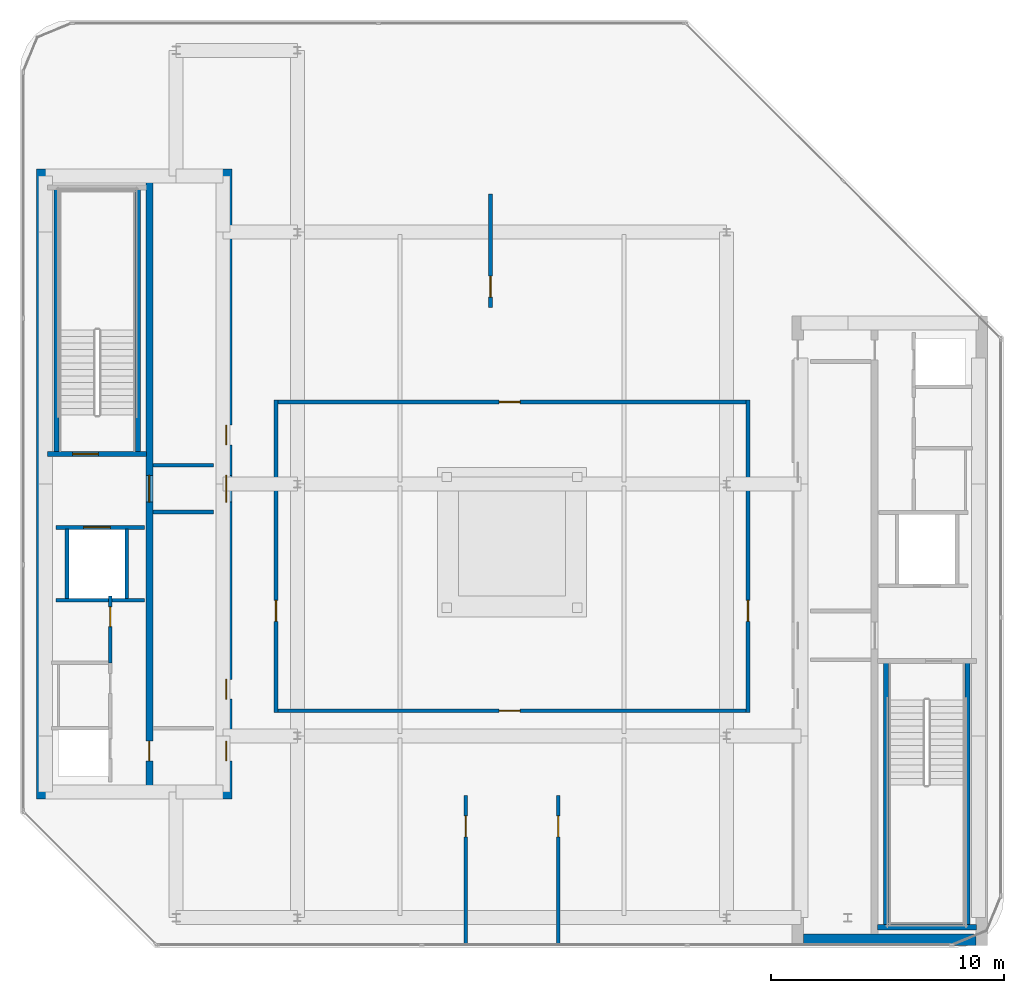
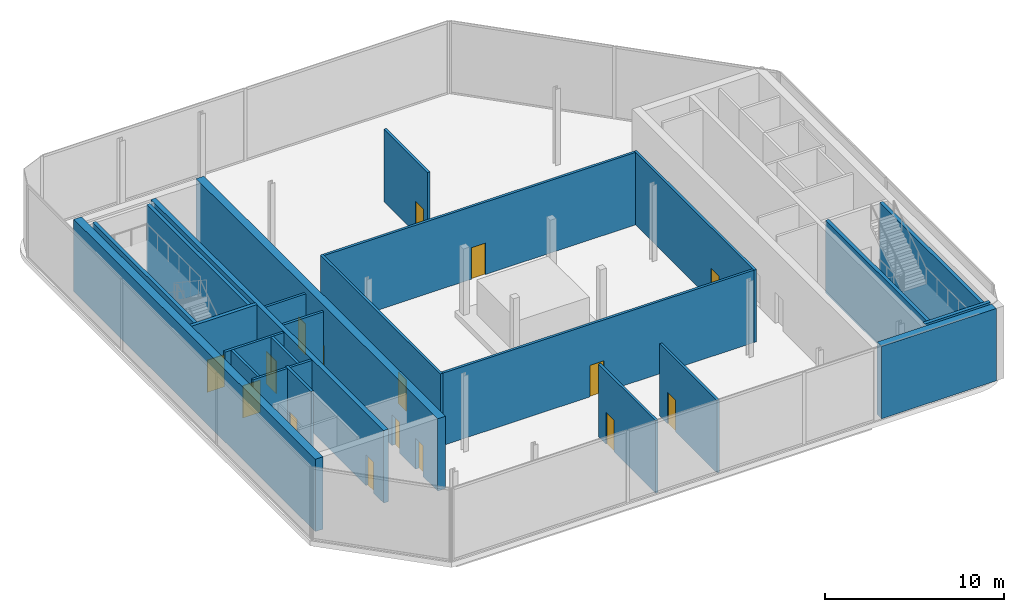
# One storey, part 5 of 14: 24 walls, 16 doors, 16 openings.
"""IFC4 building model written with IfcOpenShell, lengths in metres."""

import ifcopenshell
import ifcopenshell.guid

model = None  # the IFC model being written
_history = None  # IfcOwnerHistory: only IFC2X3 demands one
_inside = {}  # id of a spatial element -> (the spatial element, [elements in it])
_under = {}  # id of a project, library or spatial element -> (it, [spatial elements below it])
_declared = {}  # id of a project -> (the project, [libraries it declares])
_typed = {}  # id of a type object -> (the type object, [elements of that type])
_made_of = {}  # id of a material, layer set ... -> (it, [elements and type objects made of it])


def new_model(schema):
    """Start an empty IFC model of exactly this schema.

    Asked for "IFC4X3", IfcOpenShell would pick the latest addendum, in which some entities
    have other attributes; the version numbers below select the first issue.
    IFC2X3 requires an IfcOwnerHistory on every rooted entity: one is made here for all.
    """
    global model, _history
    if schema == "IFC4X3":
        model = ifcopenshell.file(schema_version=(4, 3, 0, 0))
    else:
        model = ifcopenshell.file(schema=schema)
    _inside.clear()
    _under.clear()
    _declared.clear()
    _typed.clear()
    _made_of.clear()
    _history = None
    if model.schema == "IFC2X3":
        org = make("IfcOrganization", Name="unknown")
        user = make(
            "IfcPersonAndOrganization",
            ThePerson=make("IfcPerson", FamilyName="unknown"),
            TheOrganization=org,
        )
        app = make(
            "IfcApplication",
            ApplicationDeveloper=org,
            Version="unknown",
            ApplicationFullName="unknown",
            ApplicationIdentifier="unknown",
        )
        _history = make(
            "IfcOwnerHistory",
            OwningUser=user,
            OwningApplication=app,
            ChangeAction="ADDED",
            CreationDate=0,
        )
    return model


def make(cls, **values):
    """One entity of the class cls with the attributes given. An attribute that is None is left unset."""
    return model.create_entity(
        cls, **{name: value for name, value in values.items() if value is not None}
    )


def rooted(cls, **values):
    """An entity with a GlobalId (a new one), such as an element, a storey or a relation."""
    return make(cls, GlobalId=ifcopenshell.guid.new(), OwnerHistory=_history, **values)


def si_unit(unit_type, name, prefix=None):
    """IfcSIUnit, for example si_unit("LENGTHUNIT", "METRE", prefix="MILLI")."""
    return make("IfcSIUnit", UnitType=unit_type, Prefix=prefix, Name=name)


def assignment(units):
    """IfcUnitAssignment: the units of a project."""
    return None if units is None else make("IfcUnitAssignment", Units=units)


def point(xyz):
    """IfcCartesianPoint."""
    return None if xyz is None else make("IfcCartesianPoint", Coordinates=xyz)


def direction(xyz):
    """IfcDirection."""
    return None if xyz is None else make("IfcDirection", DirectionRatios=xyz)


def frame(location, z_axis=None, x_axis=None):
    """IfcAxis2Placement3D, a coordinate frame: its origin and axes. An axis left out is left unset."""
    return make(
        "IfcAxis2Placement3D",
        Location=point(location),
        Axis=direction(z_axis),
        RefDirection=direction(x_axis),
    )


def frame_2d(location, x_axis=None):
    """IfcAxis2Placement2D, a coordinate frame in the plane: its origin and x axis."""
    return make(
        "IfcAxis2Placement2D", Location=point(location), RefDirection=direction(x_axis)
    )


def origin():
    """The frame at (0, 0, 0) with its axes left unset."""
    return frame((0.0, 0.0, 0.0))


def place(relative_to, where):
    """IfcLocalPlacement: puts the frame where relative to a parent placement (None: the world)."""
    return make(
        "IfcLocalPlacement", PlacementRelTo=relative_to, RelativePlacement=where
    )


def context(
    kind, dimensions, precision=None, world=None, true_north=None, identifier=None
):
    """IfcGeometricRepresentationContext, for example the 3D "Model" context."""
    return make(
        "IfcGeometricRepresentationContext",
        ContextIdentifier=identifier,
        ContextType=kind,
        CoordinateSpaceDimension=dimensions,
        Precision=precision,
        WorldCoordinateSystem=world,
        TrueNorth=true_north,
    )


def subcontext(parent, identifier, kind, view, scale=None):
    """IfcGeometricRepresentationSubContext, for example "Body" below "Model"."""
    return make(
        "IfcGeometricRepresentationSubContext",
        ContextIdentifier=identifier,
        ContextType=kind,
        ParentContext=parent,
        TargetScale=scale,
        TargetView=view,
    )


def project(units=None, contexts=None):
    """IfcProject with its units and contexts."""
    return rooted(
        "IfcProject",
        Name="project",
        RepresentationContexts=contexts,
        UnitsInContext=assignment(units),
    )


def spatial(cls, under=None, at=None, **own):
    """A site, building, storey or space (cls), placed at a placement, below another one or the project."""
    s = rooted(cls, ObjectPlacement=at, **own)
    if under is not None:
        _under.setdefault(under.id(), (under, []))[1].append(s)
    return s


def profile(cls, at=None, kind="AREA", **sizes):
    """A parametric profile (cls). Its sizes go by their IFC names, for example OverallWidth=200.0."""
    return make(cls, ProfileType=kind, Position=at, **sizes)


def rectangle(**sizes):
    """IfcRectangleProfileDef."""
    return profile("IfcRectangleProfileDef", **sizes)


def extrude(swept, where, along, depth):
    """IfcExtrudedAreaSolid: the profile swept, set in the frame where, extruded along a direction by depth."""
    return make(
        "IfcExtrudedAreaSolid",
        SweptArea=swept,
        Position=where,
        ExtrudedDirection=direction(along),
        Depth=depth,
    )


def shape(context_of_items, identifier, shape_type, items):
    """IfcShapeRepresentation: the items that make up one representation, for example the "Body"."""
    return make(
        "IfcShapeRepresentation",
        ContextOfItems=context_of_items,
        RepresentationIdentifier=identifier,
        RepresentationType=shape_type,
        Items=items,
    )


def material(Name=None, Category=None):
    """IfcMaterial."""
    return make("IfcMaterial", Name=Name, Category=Category)


def layer(
    of_material, thickness, ventilated=None, Name=None, Category=None, Priority=None
):
    """IfcMaterialLayer: one layer of a wall or slab, of a material (None: an air gap)."""
    return make(
        "IfcMaterialLayer",
        Material=of_material,
        LayerThickness=thickness,
        IsVentilated=ventilated,
        Name=Name,
        Category=Category,
        Priority=Priority,
    )


def layer_set(layers, Name=None):
    """IfcMaterialLayerSet."""
    return make("IfcMaterialLayerSet", MaterialLayers=layers, LayerSetName=Name)


def made_of(thing, what):
    """Note that an element or type object is made of a material, layer set ...; save() writes the relation."""
    if what is not None:
        _made_of.setdefault(what.id(), (what, []))[1].append(thing)
    return thing


def type_object(cls, material=None, **own):
    """A type object (cls), such as IfcWallType, which elements share."""
    return made_of(rooted(cls, **own), material)


def element(
    cls,
    number,
    at=None,
    inside=None,
    cuts=None,
    type_object=None,
    material=None,
    context=None,
    identifier="Body",
    shape_type=None,
    held_by="IfcProductDefinitionShape",
    body=None,
    shapes=None,
    **own,
):
    """One element of the class cls, such as IfcWall. Its Tag is "e" and its number.

    at: its placement. inside: the storey or other place that contains it. cuts: it is an
    opening in that element (IfcRelVoidsElement). A single representation is given by context,
    identifier, shape_type and body (its items); several are given by shapes. held_by: the class
    of the entity that holds the representations. save() writes the other relations.
    """
    e = rooted(cls, Tag="e%d" % number, ObjectPlacement=at, **own)
    if body is not None:
        shapes = [shape(context, identifier, shape_type, body)]
    if shapes is not None:
        e.Representation = make(held_by, Representations=shapes)
    if inside is not None:
        _inside.setdefault(inside.id(), (inside, []))[1].append(e)
    if cuts is not None:
        rooted(
            "IfcRelVoidsElement", RelatingBuildingElement=cuts, RelatedOpeningElement=e
        )
    if type_object is not None:
        _typed.setdefault(type_object.id(), (type_object, []))[1].append(e)
    return made_of(e, material)


def fill(opening, filler):
    """IfcRelFillsElement: the door or window that sits in an opening."""
    return rooted(
        "IfcRelFillsElement",
        RelatingOpeningElement=opening,
        RelatedBuildingElement=filler,
    )


def aggregate(whole, parts):
    """IfcRelAggregates: a whole, such as a stair, and the parts it consists of."""
    return rooted("IfcRelAggregates", RelatingObject=whole, RelatedObjects=parts)


def save(model, path):
    """Write the relations noted so far, then the file.

    IfcRelAggregates (storeys below a building ...), IfcRelContainedInSpatialStructure (elements
    in a storey), IfcRelDefinesByType, IfcRelAssociatesMaterial and IfcRelDeclares: one each for
    every whole, place, type object, material and project.
    """
    for whole, parts in _under.values():
        aggregate(whole, parts)
    for where, things in _inside.values():
        rooted(
            "IfcRelContainedInSpatialStructure",
            RelatedElements=things,
            RelatingStructure=where,
        )
    for kind, things in _typed.values():
        rooted("IfcRelDefinesByType", RelatedObjects=things, RelatingType=kind)
    for what, things in _made_of.values():
        rooted("IfcRelAssociatesMaterial", RelatedObjects=things, RelatingMaterial=what)
    for by, libraries in _declared.values():
        rooted("IfcRelDeclares", RelatingContext=by, RelatedDefinitions=libraries)
    model.write(path)


model = new_model("IFC4")

# Units and contexts
model_context = context("Model", 3, precision=1e-05, world=origin(), true_north=direction((0.0, 1.0)))
body_context = subcontext(model_context, "Body", "Model", "MODEL_VIEW")
ifc_project = project(units=[si_unit("LENGTHUNIT", "METRE"), si_unit("AREAUNIT", "SQUARE_METRE"), si_unit("VOLUMEUNIT", "CUBIC_METRE"), si_unit("PLANEANGLEUNIT", "RADIAN"), si_unit("MASSUNIT", "GRAM", prefix="KILO")], contexts=[model_context])

# Site, building, storey
site_placement = place(None, origin())
site = spatial("IfcSite", under=ifc_project, at=site_placement, CompositionType="ELEMENT")
building_placement = place(site_placement, origin())
building = spatial("IfcBuilding", under=site, at=building_placement, Name="Khairoan Windgate Tower", CompositionType="ELEMENT")
storey_placement = place(building_placement, frame((0.0, 0.0, 325.199951171875)))
storey = spatial("IfcBuildingStorey", under=building, at=storey_placement, Name="L78", CompositionType="ELEMENT", Elevation=325.199951171875)

# Wall, opening, door
ifc_material_1 = material(Name="Concrete C40/50", Category="concrete")
ifc_layer_1 = layer(ifc_material_1, 0.159912109375, Name="Concrete C40/50")
ifc_layer_set_1 = layer_set([ifc_layer_1], Name="Concrete C40/50")
wall_type_1 = type_object("IfcWallType", Name="Core and Hoistway Enclosure Wall", PredefinedType="STANDARD", material=ifc_layer_set_1)
wall_1_placement = place(storey_placement, frame((-19.550048828125, -1.860107421875, 0.0), z_axis=(0.0, 0.0, 1.0), x_axis=(1.0, 0.0, 0.0)))
wall_1 = element("IfcWall", 1, at=wall_1_placement, inside=storey, type_object=wall_type_1, Name="L78 Core Shaft Wall SW-FL2-L78", PredefinedType="STANDARD", context=body_context, shape_type="SweptSolid", body=[
    extrude(rectangle(XDim=3.800048828125, YDim=0.159912109375, at=frame_2d((1.89990234375, 0.0))), origin(), (0.0, 0.0, 1.0), 4.93994140625),
])
opening_1_placement = place(wall_1_placement, frame((1.179931640625, 0.0, 0.0)))
opening_1 = element("IfcOpeningElement", 2, at=opening_1_placement, cuts=wall_1, Name="Opening LD-FL", PredefinedType="OPENING", context=body_context, shape_type="SweptSolid", body=[
    extrude(rectangle(XDim=1.14990234375, YDim=2.199951171875, at=frame_2d((0.574951171875, 1.10009765625))), frame((0.0, 0.08984375, 0.0), z_axis=(0.0, -1.0, 0.0), x_axis=(1.0, 0.0, 0.0)), (0.0, 0.0, 1.0), 0.179931640625),
])
ifc_material_2 = material(Name="Steel S355", Category="steel")
door_type_1 = type_object("IfcDoorType", Name="Firefighting Lift Sliding Landing Door LD-FL 1150x2200", OperationType="DOUBLE_DOOR_SLIDING", PredefinedType="DOOR", material=ifc_material_2)
door_1_placement = place(opening_1_placement, origin())
door_1 = element("IfcDoor", 3, at=door_1_placement, inside=storey, type_object=door_type_1, Name="L78 Firefighting Lift FL2 Landing Door", OperationType="DOUBLE_DOOR_SLIDING", OverallHeight=2.199951171875, OverallWidth=1.14990234375, PredefinedType="DOOR", context=body_context, shape_type="SweptSolid", body=[
    extrude(rectangle(XDim=1.14990234375, YDim=2.199951171875, at=frame_2d((0.574951171875, 1.10009765625))), frame((0.0, 0.02490234375, 0.0), z_axis=(0.0, -1.0, 0.0), x_axis=(1.0, 0.0, 0.0)), (0.0, 0.0, 1.0), 0.050048828125),
])
fill(opening_1, door_1)

# Walls
wall_2_placement = place(storey_placement, frame((-19.550048828125, -4.97998046875, 0.0), z_axis=(0.0, 0.0, 1.0), x_axis=(1.0, 0.0, 0.0)))
element("IfcWall", 4, at=wall_2_placement, inside=storey, type_object=wall_type_1, Name="L78 Core Shaft Wall SW-FL2B-L78", PredefinedType="STANDARD", context=body_context, shape_type="SweptSolid", body=[
    extrude(rectangle(XDim=3.800048828125, YDim=0.159912109375, at=frame_2d((1.89990234375, 0.0))), origin(), (0.0, 0.0, 1.0), 4.93994140625),
])
for number, where, z_axis, x_axis, name in (
    (5, (-19.080078125, -4.89990234375, 0.0), (0.0, 0.0, 1.0), (0.0, 1.0, 0.0), "L78 Core Shaft Wall SW-FL2W-L78"),
    (6, (-16.52001953125, -4.89990234375, 0.0), (0.0, 0.0, 1.0), (0.0, 1.0, 0.0), "L78 Core Shaft Wall SW-FL2E-L78"),
):
    element("IfcWall", number, at=place(storey_placement, frame(where, z_axis=z_axis, x_axis=x_axis)), inside=storey, type_object=wall_type_1, Name=name, PredefinedType="STANDARD", context=body_context, shape_type="SweptSolid", body=[
        extrude(rectangle(XDim=2.9599609375, YDim=0.159912109375, at=frame_2d((1.47998046875, 0.0))), origin(), (0.0, 0.0, 1.0), 4.93994140625),
    ])
for number, where, z_axis, x_axis, name in (
    (7, (-15.39990234375, 0.800048828125, 0.0), (0.0, 0.0, 1.0), (1.0, 0.0, 0.0), "L78 Core Shaft Wall SW-WV1-L78"),
    (8, (-15.39990234375, -1.199951171875, 0.0), (0.0, 0.0, 1.0), (1.0, 0.0, 0.0), "L78 Core Shaft Wall SW-WV2-L78"),
):
    element("IfcWall", number, at=place(storey_placement, frame(where, z_axis=z_axis, x_axis=x_axis)), inside=storey, type_object=wall_type_1, Name=name, PredefinedType="STANDARD", context=body_context, shape_type="SweptSolid", body=[
        extrude(rectangle(XDim=2.599853515625, YDim=0.159912109375, at=frame_2d((1.2998046875, 0.0))), origin(), (0.0, 0.0, 1.0), 4.93994140625),
    ])

# Wall, opening, door
ifc_material_3 = material(Name="Concrete C40/50", Category="concrete")
ifc_layer_2 = layer(ifc_material_3, 0.159912109375, Name="Concrete C40/50")
ifc_layer_set_2 = layer_set([ifc_layer_2], Name="Concrete C40/50")
wall_type_2 = type_object("IfcWallType", Name="Plant and Refuge Compartment Wall", PredefinedType="PARTITIONING", material=ifc_layer_set_2)
wall_3_placement = place(storey_placement, frame((-17.22998046875, -7.669921875, 0.0), z_axis=(0.0, 0.0, 1.0), x_axis=(0.0, 1.0, 0.0)))
wall_3 = element("IfcWall", 9, at=wall_3_placement, inside=storey, type_object=wall_type_2, Name="L78 Interior Partition 003", PredefinedType="PARTITIONING", context=body_context, shape_type="SweptSolid", body=[
    extrude(rectangle(XDim=2.85986328125, YDim=0.159912109375, at=frame_2d((1.429931640625, 0.0))), origin(), (0.0, 0.0, 1.0), 4.93994140625),
])
opening_2_placement = place(wall_3_placement, frame((1.550048828125, 0.0, 0.0)))
opening_2 = element("IfcOpeningElement", 10, at=opening_2_placement, cuts=wall_3, Name="Opening FD-SRV", PredefinedType="OPENING", context=body_context, shape_type="SweptSolid", body=[
    extrude(rectangle(XDim=0.85009765625, YDim=2.10009765625, at=frame_2d((0.425048828125, 1.050048828125))), frame((0.0, 0.08984375, 0.0), z_axis=(0.0, -1.0, 0.0), x_axis=(1.0, 0.0, 0.0)), (0.0, 0.0, 1.0), 0.179931640625),
])
ifc_material_4 = material(Name="Steel S355", Category="steel")
door_type_2 = type_object("IfcDoorType", Name="Core Service and Riser Fire Door FD-SRV 850x2100", OperationType="NOTDEFINED", PredefinedType="DOOR", material=ifc_material_4)
door_2_placement = place(opening_2_placement, origin())
door_2 = element("IfcDoor", 11, at=door_2_placement, inside=storey, type_object=door_type_2, Name="L78 L78-04-L78-07 Door", OperationType="SINGLE_SWING_RIGHT", OverallHeight=2.10009765625, OverallWidth=0.85009765625, PredefinedType="DOOR", context=body_context, shape_type="SweptSolid", body=[
    extrude(rectangle(XDim=0.85009765625, YDim=2.10009765625, at=frame_2d((0.425048828125, 1.050048828125))), frame((0.0, 0.02490234375, 0.0), z_axis=(0.0, -1.0, 0.0), x_axis=(1.0, 0.0, 0.0)), (0.0, 0.0, 1.0), 0.050048828125),
])
fill(opening_2, door_2)

wall_4_placement = place(storey_placement, frame((-10.1201171875, -9.800048828125, 0.0), z_axis=(0.0, 0.0, 1.0), x_axis=(0.0, 1.0, 0.0)))
wall_4 = element("IfcWall", 12, at=wall_4_placement, inside=storey, type_object=wall_type_2, Name="L78 Interior Partition 011", PredefinedType="PARTITIONING", context=body_context, shape_type="SweptSolid", body=[
    extrude(rectangle(XDim=13.400146484375, YDim=0.159912109375, at=frame_2d((6.7001953125, 0.0))), origin(), (0.0, 0.0, 1.0), 4.93994140625),
])
opening_3_placement = place(wall_4_placement, frame((3.913818359375, 0.0, 0.0)))
opening_3 = element("IfcOpeningElement", 13, at=opening_3_placement, cuts=wall_4, Name="Opening FD-ENT", PredefinedType="OPENING", context=body_context, shape_type="SweptSolid", body=[
    extrude(rectangle(XDim=0.89990234375, YDim=2.14990234375, at=frame_2d((0.449951171875, 1.074951171875))), frame((0.0, 0.08984375, 0.0), z_axis=(0.0, -1.0, 0.0), x_axis=(1.0, 0.0, 0.0)), (0.0, 0.0, 1.0), 0.179931640625),
])
ifc_material_5 = material(Name="Timber Fire-Rated Core", Category="wood")
door_type_3 = type_object("IfcDoorType", Name="Unit and Office Fire Entrance Door FD-ENT 900x2150", OperationType="NOTDEFINED", PredefinedType="DOOR", material=ifc_material_5)
door_3_placement = place(opening_3_placement, origin())
door_3 = element("IfcDoor", 14, at=door_3_placement, inside=storey, type_object=door_type_3, Name="L78 L78-23-L78-28 Door", OperationType="SINGLE_SWING_RIGHT", OverallHeight=2.14990234375, OverallWidth=0.89990234375, PredefinedType="DOOR", context=body_context, shape_type="SweptSolid", body=[
    extrude(rectangle(XDim=0.89990234375, YDim=2.14990234375, at=frame_2d((0.449951171875, 1.074951171875))), frame((0.0, 0.02490234375, 0.0), z_axis=(0.0, -1.0, 0.0), x_axis=(1.0, 0.0, 0.0)), (0.0, 0.0, 1.0), 0.050048828125),
])
fill(opening_3, door_3)

wall_5_placement = place(storey_placement, frame((10.1201171875, -9.800048828125, 0.0), z_axis=(0.0, 0.0, 1.0), x_axis=(0.0, 1.0, 0.0)))
wall_5 = element("IfcWall", 15, at=wall_5_placement, inside=storey, type_object=wall_type_2, Name="L78 Interior Partition 012", PredefinedType="PARTITIONING", context=body_context, shape_type="SweptSolid", body=[
    extrude(rectangle(XDim=13.400146484375, YDim=0.159912109375, at=frame_2d((6.7001953125, 0.0))), origin(), (0.0, 0.0, 1.0), 4.93994140625),
])
opening_4_placement = place(wall_5_placement, frame((3.913818359375, 0.0, 0.0)))
opening_4 = element("IfcOpeningElement", 16, at=opening_4_placement, cuts=wall_5, Name="Opening FD-ENT", PredefinedType="OPENING", context=body_context, shape_type="SweptSolid", body=[
    extrude(rectangle(XDim=0.89990234375, YDim=2.14990234375, at=frame_2d((0.449951171875, 1.074951171875))), frame((0.0, 0.08984375, 0.0), z_axis=(0.0, -1.0, 0.0), x_axis=(1.0, 0.0, 0.0)), (0.0, 0.0, 1.0), 0.179931640625),
])
door_4_placement = place(opening_4_placement, origin())
door_4 = element("IfcDoor", 17, at=door_4_placement, inside=storey, type_object=door_type_3, Name="L78 L78-24-L78-28 Door", OperationType="SINGLE_SWING_LEFT", OverallHeight=2.14990234375, OverallWidth=0.89990234375, PredefinedType="DOOR", context=body_context, shape_type="SweptSolid", body=[
    extrude(rectangle(XDim=0.89990234375, YDim=2.14990234375, at=frame_2d((0.449951171875, 1.074951171875))), frame((0.0, 0.02490234375, 0.0), z_axis=(0.0, -1.0, 0.0), x_axis=(1.0, 0.0, 0.0)), (0.0, 0.0, 1.0), 0.050048828125),
])
fill(opening_4, door_4)

wall_6_placement = place(storey_placement, frame((-10.0400390625, 3.52001953125, 0.0), z_axis=(0.0, 0.0, 1.0), x_axis=(1.0, 0.0, 0.0)))
wall_6 = element("IfcWall", 18, at=wall_6_placement, inside=storey, type_object=wall_type_2, Name="L78 Interior Partition 013", PredefinedType="PARTITIONING", context=body_context, shape_type="SweptSolid", body=[
    extrude(rectangle(XDim=20.080078125, YDim=0.159912109375, at=frame_2d((10.0400390625, 0.0))), origin(), (0.0, 0.0, 1.0), 4.93994140625),
])
opening_5_placement = place(wall_6_placement, frame((9.48974609375, 0.0, 0.0)))
opening_5 = element("IfcOpeningElement", 19, at=opening_5_placement, cuts=wall_6, Name="Opening FD-ENT", PredefinedType="OPENING", context=body_context, shape_type="SweptSolid", body=[
    extrude(rectangle(XDim=0.89990234375, YDim=2.14990234375, at=frame_2d((0.449951171875, 1.074951171875))), frame((0.0, 0.08984375, 0.0), z_axis=(0.0, -1.0, 0.0), x_axis=(1.0, 0.0, 0.0)), (0.0, 0.0, 1.0), 0.179931640625),
])
door_5_placement = place(opening_5_placement, origin())
door_5 = element("IfcDoor", 20, at=door_5_placement, inside=storey, type_object=door_type_3, Name="L78 L78-25-L78-28 Door", OperationType="SINGLE_SWING_RIGHT", OverallHeight=2.14990234375, OverallWidth=0.89990234375, PredefinedType="DOOR", context=body_context, shape_type="SweptSolid", body=[
    extrude(rectangle(XDim=0.89990234375, YDim=2.14990234375, at=frame_2d((0.449951171875, 1.074951171875))), frame((0.0, 0.02490234375, 0.0), z_axis=(0.0, -1.0, 0.0), x_axis=(1.0, 0.0, 0.0)), (0.0, 0.0, 1.0), 0.050048828125),
])
fill(opening_5, door_5)

wall_7_placement = place(storey_placement, frame((-0.919921875, 7.56005859375, 0.0), z_axis=(0.0, 0.0, 1.0), x_axis=(0.0, 1.0, 0.0)))
wall_7 = element("IfcWall", 21, at=wall_7_placement, inside=storey, type_object=wall_type_2, Name="L78 Interior Partition 014", PredefinedType="PARTITIONING", context=body_context, shape_type="SweptSolid", body=[
    extrude(rectangle(XDim=4.8798828125, YDim=0.159912109375, at=frame_2d((2.43994140625, 0.0))), origin(), (0.0, 0.0, 1.0), 4.93994140625),
])
opening_6_placement = place(wall_7_placement, frame((0.4599609375, 0.0, 0.0)))
opening_6 = element("IfcOpeningElement", 22, at=opening_6_placement, cuts=wall_7, Name="Opening FD-ENT", PredefinedType="OPENING", context=body_context, shape_type="SweptSolid", body=[
    extrude(rectangle(XDim=0.89990234375, YDim=2.14990234375, at=frame_2d((0.449951171875, 1.074951171875))), frame((0.0, 0.08984375, 0.0), z_axis=(0.0, -1.0, 0.0), x_axis=(1.0, 0.0, 0.0)), (0.0, 0.0, 1.0), 0.179931640625),
])
door_6_placement = place(opening_6_placement, origin())
door_6 = element("IfcDoor", 23, at=door_6_placement, inside=storey, type_object=door_type_3, Name="L78 L78-26-L78-29 Door", OperationType="SINGLE_SWING_LEFT", OverallHeight=2.14990234375, OverallWidth=0.89990234375, PredefinedType="DOOR", context=body_context, shape_type="SweptSolid", body=[
    extrude(rectangle(XDim=0.89990234375, YDim=2.14990234375, at=frame_2d((0.449951171875, 1.074951171875))), frame((0.0, 0.02490234375, 0.0), z_axis=(0.0, -1.0, 0.0), x_axis=(1.0, 0.0, 0.0)), (0.0, 0.0, 1.0), 0.050048828125),
])
fill(opening_6, door_6)

wall_8_placement = place(storey_placement, frame((-10.0400390625, -9.719970703125, 0.0), z_axis=(0.0, 0.0, 1.0), x_axis=(1.0, 0.0, 0.0)))
wall_8 = element("IfcWall", 24, at=wall_8_placement, inside=storey, type_object=wall_type_2, Name="L78 Interior Partition 015", PredefinedType="PARTITIONING", context=body_context, shape_type="SweptSolid", body=[
    extrude(rectangle(XDim=20.080078125, YDim=0.159912109375, at=frame_2d((10.0400390625, 0.0))), origin(), (0.0, 0.0, 1.0), 4.93994140625),
])
opening_7_placement = place(wall_8_placement, frame((9.48974609375, 0.0, 0.0)))
opening_7 = element("IfcOpeningElement", 25, at=opening_7_placement, cuts=wall_8, Name="Opening FD-ENT", PredefinedType="OPENING", context=body_context, shape_type="SweptSolid", body=[
    extrude(rectangle(XDim=0.89990234375, YDim=2.14990234375, at=frame_2d((0.449951171875, 1.074951171875))), frame((0.0, 0.08984375, 0.0), z_axis=(0.0, -1.0, 0.0), x_axis=(1.0, 0.0, 0.0)), (0.0, 0.0, 1.0), 0.179931640625),
])
door_7_placement = place(opening_7_placement, origin())
door_7 = element("IfcDoor", 26, at=door_7_placement, inside=storey, type_object=door_type_3, Name="L78 L78-27-L78-28 Door", OperationType="SINGLE_SWING_RIGHT", OverallHeight=2.14990234375, OverallWidth=0.89990234375, PredefinedType="DOOR", context=body_context, shape_type="SweptSolid", body=[
    extrude(rectangle(XDim=0.89990234375, YDim=2.14990234375, at=frame_2d((0.449951171875, 1.074951171875))), frame((0.0, 0.02490234375, 0.0), z_axis=(0.0, -1.0, 0.0), x_axis=(1.0, 0.0, 0.0)), (0.0, 0.0, 1.0), 0.050048828125),
])
fill(opening_7, door_7)

wall_9_placement = place(storey_placement, frame((-1.97998046875, -19.7548828125, 0.0), z_axis=(0.0, 0.0, 1.0), x_axis=(0.0, 1.0, 0.0)))
wall_9 = element("IfcWall", 27, at=wall_9_placement, inside=storey, type_object=wall_type_2, Name="L78 Interior Partition 016", PredefinedType="PARTITIONING", context=body_context, shape_type="SweptSolid", body=[
    extrude(rectangle(XDim=6.394775390625, YDim=0.159912109375, at=frame_2d((3.197265625, 0.0))), origin(), (0.0, 0.0, 1.0), 4.93994140625),
])
opening_8_placement = place(wall_9_placement, frame((4.619140625, 0.0, 0.0)))
opening_8 = element("IfcOpeningElement", 28, at=opening_8_placement, cuts=wall_9, Name="Opening FD-ENT", PredefinedType="OPENING", context=body_context, shape_type="SweptSolid", body=[
    extrude(rectangle(XDim=0.89990234375, YDim=2.14990234375, at=frame_2d((0.449951171875, 1.074951171875))), frame((0.0, 0.08984375, 0.0), z_axis=(0.0, -1.0, 0.0), x_axis=(1.0, 0.0, 0.0)), (0.0, 0.0, 1.0), 0.179931640625),
])
door_8_placement = place(opening_8_placement, origin())
door_8 = element("IfcDoor", 29, at=door_8_placement, inside=storey, type_object=door_type_3, Name="L78 L78-30-L78-31 Door", OperationType="SINGLE_SWING_LEFT", OverallHeight=2.14990234375, OverallWidth=0.89990234375, PredefinedType="DOOR", context=body_context, shape_type="SweptSolid", body=[
    extrude(rectangle(XDim=0.89990234375, YDim=2.14990234375, at=frame_2d((0.449951171875, 1.074951171875))), frame((0.0, 0.02490234375, 0.0), z_axis=(0.0, -1.0, 0.0), x_axis=(1.0, 0.0, 0.0)), (0.0, 0.0, 1.0), 0.050048828125),
])
fill(opening_8, door_8)

wall_10_placement = place(storey_placement, frame((1.97998046875, -19.7548828125, 0.0), z_axis=(0.0, 0.0, 1.0), x_axis=(0.0, 1.0, 0.0)))
wall_10 = element("IfcWall", 30, at=wall_10_placement, inside=storey, type_object=wall_type_2, Name="L78 Interior Partition 017", PredefinedType="PARTITIONING", context=body_context, shape_type="SweptSolid", body=[
    extrude(rectangle(XDim=6.394775390625, YDim=0.159912109375, at=frame_2d((3.197265625, 0.0))), origin(), (0.0, 0.0, 1.0), 4.93994140625),
])
opening_9_placement = place(wall_10_placement, frame((4.619140625, 0.0, 0.0)))
opening_9 = element("IfcOpeningElement", 31, at=opening_9_placement, cuts=wall_10, Name="Opening FD-ENT", PredefinedType="OPENING", context=body_context, shape_type="SweptSolid", body=[
    extrude(rectangle(XDim=0.89990234375, YDim=2.14990234375, at=frame_2d((0.449951171875, 1.074951171875))), frame((0.0, 0.08984375, 0.0), z_axis=(0.0, -1.0, 0.0), x_axis=(1.0, 0.0, 0.0)), (0.0, 0.0, 1.0), 0.179931640625),
])
door_9_placement = place(opening_9_placement, origin())
door_9 = element("IfcDoor", 32, at=door_9_placement, inside=storey, type_object=door_type_3, Name="L78 L78-30-L78-32 Door", OperationType="SINGLE_SWING_RIGHT", OverallHeight=2.14990234375, OverallWidth=0.89990234375, PredefinedType="DOOR", context=body_context, shape_type="SweptSolid", body=[
    extrude(rectangle(XDim=0.89990234375, YDim=2.14990234375, at=frame_2d((0.449951171875, 1.074951171875))), frame((0.0, 0.02490234375, 0.0), z_axis=(0.0, -1.0, 0.0), x_axis=(1.0, 0.0, 0.0)), (0.0, 0.0, 1.0), 0.050048828125),
])
fill(opening_9, door_9)

# Walls
ifc_material_6 = material(Name="Concrete C50/60", Category="concrete")
ifc_layer_3 = layer(ifc_material_6, 0.5, Name="Concrete C50/60")
ifc_layer_set_3 = layer_set([ifc_layer_3], Name="Concrete C50/60")
wall_type_3 = type_object("IfcWallType", Name="Shear Wall CW-E3 500mm", PredefinedType="SHEAR", material=ifc_layer_set_3)
wall_11_placement = place(storey_placement, frame((12.5, -19.550048828125, 0.0), z_axis=(0.0, 0.0, 1.0), x_axis=(1.0, 0.0, 0.0)))
element("IfcWall", 33, at=wall_11_placement, inside=storey, type_object=wall_type_3, Name="E Core South Shear Wall L78", PredefinedType="SHEAR", context=body_context, shape_type="SweptSolid", body=[
    extrude(rectangle(XDim=7.39990234375, YDim=0.5, at=frame_2d((3.699951171875, 0.0))), origin(), (0.0, 0.0, 1.0), 4.93994140625),
])
ifc_material_7 = material(Name="Concrete C50/60", Category="concrete")
ifc_layer_4 = layer(ifc_material_7, 0.5, Name="Concrete C50/60")
ifc_layer_set_4 = layer_set([ifc_layer_4], Name="Concrete C50/60")
wall_type_4 = type_object("IfcWallType", Name="Shear Wall CW-W3 500mm", PredefinedType="SHEAR", material=ifc_layer_set_4)
wall_12_placement = place(storey_placement, frame((-20.14990234375, -13.5, 0.0), z_axis=(0.0, 0.0, 1.0), x_axis=(0.0, 1.0, 0.0)))
element("IfcWall", 34, at=wall_12_placement, inside=storey, type_object=wall_type_4, Name="W Core West Shear Wall L78", PredefinedType="SHEAR", context=body_context, shape_type="SweptSolid", body=[
    extrude(rectangle(XDim=27.0, YDim=0.5, at=frame_2d((13.5, 0.0))), origin(), (0.0, 0.0, 1.0), 4.93994140625),
])

# Wall, openings, doors
wall_13_placement = place(storey_placement, frame((-12.25, -13.5, 0.0), z_axis=(0.0, 0.0, 1.0), x_axis=(0.0, 1.0, 0.0)))
wall_13 = element("IfcWall", 35, at=wall_13_placement, inside=storey, type_object=wall_type_4, Name="W Core East Shear Wall L78", PredefinedType="SHEAR", context=body_context, shape_type="SweptSolid", body=[
    extrude(rectangle(XDim=27.0, YDim=0.5, at=frame_2d((13.5, 0.0))), origin(), (0.0, 0.0, 1.0), 4.93994140625),
])
opening_10_placement = place(wall_13_placement, frame((15.175048828125, 0.0, 0.0)))
opening_10 = element("IfcOpeningElement", 36, at=opening_10_placement, cuts=wall_13, Name="Opening FD-SRV", PredefinedType="OPENING", context=body_context, shape_type="SweptSolid", body=[
    extrude(rectangle(XDim=0.85009765625, YDim=2.10009765625, at=frame_2d((0.425048828125, 1.050048828125))), frame((0.0, 0.260009765625, 0.0), z_axis=(0.0, -1.0, 0.0), x_axis=(1.0, 0.0, 0.0)), (0.0, 0.0, 1.0), 0.52001953125),
])
opening_11_placement = place(wall_13_placement, frame((4.27490234375, 0.0, 0.0)))
opening_11 = element("IfcOpeningElement", 37, at=opening_11_placement, cuts=wall_13, Name="Opening FD-SRV", PredefinedType="OPENING", context=body_context, shape_type="SweptSolid", body=[
    extrude(rectangle(XDim=0.85009765625, YDim=2.10009765625, at=frame_2d((0.425048828125, 1.050048828125))), frame((0.0, 0.260009765625, 0.0), z_axis=(0.0, -1.0, 0.0), x_axis=(1.0, 0.0, 0.0)), (0.0, 0.0, 1.0), 0.52001953125),
])
opening_12_placement = place(wall_13_placement, frame((12.72509765625, 0.0, 0.0)))
opening_12 = element("IfcOpeningElement", 38, at=opening_12_placement, cuts=wall_13, Name="Opening FD-FFL", PredefinedType="OPENING", context=body_context, shape_type="SweptSolid", body=[
    extrude(rectangle(XDim=1.14990234375, YDim=2.199951171875, at=frame_2d((0.574951171875, 1.10009765625))), frame((0.0, 0.260009765625, 0.0), z_axis=(0.0, -1.0, 0.0), x_axis=(1.0, 0.0, 0.0)), (0.0, 0.0, 1.0), 0.52001953125),
])
opening_13_placement = place(wall_13_placement, frame((1.625, 0.0, 0.0)))
opening_13 = element("IfcOpeningElement", 39, at=opening_13_placement, cuts=wall_13, Name="Opening FD-SRV", PredefinedType="OPENING", context=body_context, shape_type="SweptSolid", body=[
    extrude(rectangle(XDim=0.85009765625, YDim=2.10009765625, at=frame_2d((0.425048828125, 1.050048828125))), frame((0.0, 0.260009765625, 0.0), z_axis=(0.0, -1.0, 0.0), x_axis=(1.0, 0.0, 0.0)), (0.0, 0.0, 1.0), 0.52001953125),
])
door_10_placement = place(opening_10_placement, origin())
door_10 = element("IfcDoor", 40, at=door_10_placement, inside=storey, type_object=door_type_2, Name="L78 Upper Core Room Door B1-1", OperationType="SINGLE_SWING_RIGHT", OverallHeight=2.10009765625, OverallWidth=0.85009765625, PredefinedType="DOOR", context=body_context, shape_type="SweptSolid", body=[
    extrude(rectangle(XDim=0.85009765625, YDim=2.10009765625, at=frame_2d((0.425048828125, 1.050048828125))), frame((0.0, 0.02490234375, 0.0), z_axis=(0.0, -1.0, 0.0), x_axis=(1.0, 0.0, 0.0)), (0.0, 0.0, 1.0), 0.050048828125),
])
fill(opening_10, door_10)
door_11_placement = place(opening_11_placement, origin())
door_11 = element("IfcDoor", 41, at=door_11_placement, inside=storey, type_object=door_type_2, Name="L78 Upper Core Room Door B2-1", OperationType="SINGLE_SWING_LEFT", OverallHeight=2.10009765625, OverallWidth=0.85009765625, PredefinedType="DOOR", context=body_context, shape_type="SweptSolid", body=[
    extrude(rectangle(XDim=0.85009765625, YDim=2.10009765625, at=frame_2d((0.425048828125, 1.050048828125))), frame((0.0, 0.02490234375, 0.0), z_axis=(0.0, -1.0, 0.0), x_axis=(1.0, 0.0, 0.0)), (0.0, 0.0, 1.0), 0.050048828125),
])
fill(opening_11, door_11)
door_12_placement = place(opening_13_placement, origin())
door_12 = element("IfcDoor", 42, at=door_12_placement, inside=storey, type_object=door_type_2, Name="L78 West Core Service Vestibule Outer Door", OperationType="SINGLE_SWING_RIGHT", OverallHeight=2.10009765625, OverallWidth=0.85009765625, PredefinedType="DOOR", context=body_context, shape_type="SweptSolid", body=[
    extrude(rectangle(XDim=0.85009765625, YDim=2.10009765625, at=frame_2d((0.425048828125, 1.050048828125))), frame((0.0, 0.02490234375, 0.0), z_axis=(0.0, -1.0, 0.0), x_axis=(1.0, 0.0, 0.0)), (0.0, 0.0, 1.0), 0.050048828125),
])
fill(opening_13, door_12)
ifc_material_8 = material(Name="Steel S355", Category="steel")
door_type_4 = type_object("IfcDoorType", Name="Firefighting Lobby Fire Door FD-FFL 1150x2200", OperationType="NOTDEFINED", PredefinedType="DOOR", material=ifc_material_8)
door_13_placement = place(opening_12_placement, origin())
door_13 = element("IfcDoor", 43, at=door_13_placement, inside=storey, type_object=door_type_4, Name="L78 West Core Vestibule Entry Door", OperationType="SINGLE_SWING_RIGHT", OverallHeight=2.199951171875, OverallWidth=1.14990234375, PredefinedType="DOOR", context=body_context, shape_type="SweptSolid", body=[
    extrude(rectangle(XDim=1.14990234375, YDim=2.199951171875, at=frame_2d((0.574951171875, 1.10009765625))), frame((0.0, 0.02490234375, 0.0), z_axis=(0.0, -1.0, 0.0), x_axis=(1.0, 0.0, 0.0)), (0.0, 0.0, 1.0), 0.050048828125),
])
fill(opening_12, door_13)

ifc_material_9 = material(Name="Concrete C50/60", Category="concrete")
ifc_layer_5 = layer(ifc_material_9, 0.300048828125, Name="Concrete C50/60")
ifc_layer_set_5 = layer_set([ifc_layer_5], Name="Concrete C50/60")
wall_type_5 = type_object("IfcWallType", Name="Shear Wall SW-2 300mm", PredefinedType="SHEAR", material=ifc_layer_set_5)
wall_14_placement = place(storey_placement, frame((-15.550048828125, -13.0, 0.0), z_axis=(0.0, 0.0, 1.0), x_axis=(0.0, 1.0, 0.0)))
wall_14 = element("IfcWall", 44, at=wall_14_placement, inside=storey, type_object=wall_type_5, Name="W Core Spine Shear Wall L78", PredefinedType="SHEAR", context=body_context, shape_type="SweptSolid", body=[
    extrude(rectangle(XDim=26.0, YDim=0.300048828125, at=frame_2d((13.0, 0.0))), origin(), (0.0, 0.0, 1.0), 4.93994140625),
])
opening_14_placement = place(wall_14_placement, frame((12.22509765625, 0.0, 0.0)))
opening_14 = element("IfcOpeningElement", 45, at=opening_14_placement, cuts=wall_14, Name="Opening FD-FFL", PredefinedType="OPENING", context=body_context, shape_type="SweptSolid", body=[
    extrude(rectangle(XDim=1.14990234375, YDim=2.199951171875, at=frame_2d((0.574951171875, 1.10009765625))), frame((0.0, 0.159912109375, 0.0), z_axis=(0.0, -1.0, 0.0), x_axis=(1.0, 0.0, 0.0)), (0.0, 0.0, 1.0), 0.320068359375),
])
opening_15_placement = place(wall_14_placement, frame((1.125, 0.0, 0.0)))
opening_15 = element("IfcOpeningElement", 46, at=opening_15_placement, cuts=wall_14, Name="Opening FD-SRV", PredefinedType="OPENING", context=body_context, shape_type="SweptSolid", body=[
    extrude(rectangle(XDim=0.85009765625, YDim=2.10009765625, at=frame_2d((0.425048828125, 1.050048828125))), frame((0.0, 0.159912109375, 0.0), z_axis=(0.0, -1.0, 0.0), x_axis=(1.0, 0.0, 0.0)), (0.0, 0.0, 1.0), 0.320068359375),
])
door_14_placement = place(opening_15_placement, origin())
door_14 = element("IfcDoor", 47, at=door_14_placement, inside=storey, type_object=door_type_2, Name="L78 West Core Service Passage Inner Door", OperationType="SINGLE_SWING_LEFT", OverallHeight=2.10009765625, OverallWidth=0.85009765625, PredefinedType="DOOR", context=body_context, shape_type="SweptSolid", body=[
    extrude(rectangle(XDim=0.85009765625, YDim=2.10009765625, at=frame_2d((0.425048828125, 1.050048828125))), frame((0.0, 0.02490234375, 0.0), z_axis=(0.0, -1.0, 0.0), x_axis=(1.0, 0.0, 0.0)), (0.0, 0.0, 1.0), 0.050048828125),
])
fill(opening_15, door_14)
door_15_placement = place(opening_14_placement, origin())
door_15 = element("IfcDoor", 48, at=door_15_placement, inside=storey, type_object=door_type_4, Name="L78 West Firefighting Lobby Fire Door", OperationType="SINGLE_SWING_LEFT", OverallHeight=2.199951171875, OverallWidth=1.14990234375, PredefinedType="DOOR", context=body_context, shape_type="SweptSolid", body=[
    extrude(rectangle(XDim=1.14990234375, YDim=2.199951171875, at=frame_2d((0.574951171875, 1.10009765625))), frame((0.0, 0.02490234375, 0.0), z_axis=(0.0, -1.0, 0.0), x_axis=(1.0, 0.0, 0.0)), (0.0, 0.0, 1.0), 0.050048828125),
])
fill(opening_14, door_15)

# Walls
ifc_material_10 = material(Name="Concrete C50/60", Category="concrete")
ifc_layer_6 = layer(ifc_material_10, 0.219970703125, Name="Concrete C50/60")
ifc_layer_set_6 = layer_set([ifc_layer_6], Name="Concrete C50/60")
wall_type_6 = type_object("IfcWallType", Name="Shear Wall SW-ST 220mm", PredefinedType="SHEAR", material=ifc_layer_set_6)
for number, where, z_axis, x_axis, name in (
    (49, (16.0400390625, -19.010009765625, 0.0), (0.0, 0.0, 1.0), (0.0, 1.0, 0.0), "L78 Stair ST1 West Bearing Wall"),
    (50, (19.530029296875, -19.010009765625, 0.0), (0.0, 0.0, 1.0), (0.0, 1.0, 0.0), "L78 Stair ST1 East Bearing Wall"),
):
    element("IfcWall", number, at=place(storey_placement, frame(where, z_axis=z_axis, x_axis=x_axis)), inside=storey, type_object=wall_type_6, Name=name, PredefinedType="SHEAR", context=body_context, shape_type="SweptSolid", body=[
        extrude(rectangle(XDim=11.419921875, YDim=0.219970703125, at=frame_2d((5.7099609375, 0.0))), origin(), (0.0, 0.0, 1.0), 4.93994140625),
    ])
wall_15_placement = place(storey_placement, frame((15.679931640625, -19.010009765625, 0.0), z_axis=(0.0, 0.0, 1.0), x_axis=(1.0, 0.0, 0.0)))
element("IfcWall", 51, at=wall_15_placement, inside=storey, type_object=wall_type_6, Name="L78 Stair ST1 South Bearing Wall", PredefinedType="SHEAR", context=body_context, shape_type="SweptSolid", body=[
    extrude(rectangle(XDim=4.239990234375, YDim=0.219970703125, at=frame_2d((2.1201171875, 0.0))), origin(), (0.0, 0.0, 1.0), 4.93994140625),
])
for number, where, z_axis, x_axis, name in (
    (52, (-16.0400390625, 1.2900390625, 0.0), (0.0, 0.0, 1.0), (0.0, 1.0, 0.0), "L78 Stair ST2 East Bearing Wall"),
    (53, (-19.530029296875, 1.2900390625, 0.0), (0.0, 0.0, 1.0), (0.0, 1.0, 0.0), "L78 Stair ST2 West Bearing Wall"),
):
    element("IfcWall", number, at=place(storey_placement, frame(where, z_axis=z_axis, x_axis=x_axis)), inside=storey, type_object=wall_type_6, Name=name, PredefinedType="SHEAR", context=body_context, shape_type="SweptSolid", body=[
        extrude(rectangle(XDim=11.419921875, YDim=0.219970703125, at=frame_2d((5.7099609375, 0.0))), origin(), (0.0, 0.0, 1.0), 4.93994140625),
    ])

# Wall, opening, door
wall_16_placement = place(storey_placement, frame((-19.919921875, 1.2900390625, 0.0), z_axis=(0.0, 0.0, 1.0), x_axis=(1.0, 0.0, 0.0)))
wall_16 = element("IfcWall", 54, at=wall_16_placement, inside=storey, type_object=wall_type_6, Name="L78 Stair ST2 South Bearing Wall", PredefinedType="SHEAR", context=body_context, shape_type="SweptSolid", body=[
    extrude(rectangle(XDim=4.239990234375, YDim=0.219970703125, at=frame_2d((2.1201171875, 0.0))), origin(), (0.0, 0.0, 1.0), 4.93994140625),
])
opening_16_placement = place(wall_16_placement, frame((1.080078125, 0.0, 0.0)))
opening_16 = element("IfcOpeningElement", 55, at=opening_16_placement, cuts=wall_16, Name="Opening FD-ST", PredefinedType="OPENING", context=body_context, shape_type="SweptSolid", body=[
    extrude(rectangle(XDim=1.10009765625, YDim=2.199951171875, at=frame_2d((0.550048828125, 1.10009765625))), frame((0.0, 0.119873046875, 0.0), z_axis=(0.0, -1.0, 0.0), x_axis=(1.0, 0.0, 0.0)), (0.0, 0.0, 1.0), 0.239990234375),
])
ifc_material_11 = material(Name="Steel S355", Category="steel")
door_type_5 = type_object("IfcDoorType", Name="Smokeproof Stair Fire Door FD-ST 1100x2200", OperationType="NOTDEFINED", PredefinedType="DOOR", material=ifc_material_11)
door_16_placement = place(opening_16_placement, origin())
door_16 = element("IfcDoor", 56, at=door_16_placement, inside=storey, type_object=door_type_5, Name="L78 Stair ST2 Fire Door", OperationType="SINGLE_SWING_LEFT", OverallHeight=2.199951171875, OverallWidth=1.10009765625, PredefinedType="DOOR", context=body_context, shape_type="SweptSolid", body=[
    extrude(rectangle(XDim=1.10009765625, YDim=2.199951171875, at=frame_2d((0.550048828125, 1.10009765625))), frame((0.0, 0.02490234375, 0.0), z_axis=(0.0, -1.0, 0.0), x_axis=(1.0, 0.0, 0.0)), (0.0, 0.0, 1.0), 0.050048828125),
])
fill(opening_16, door_16)

save(model, "model.ifc")
